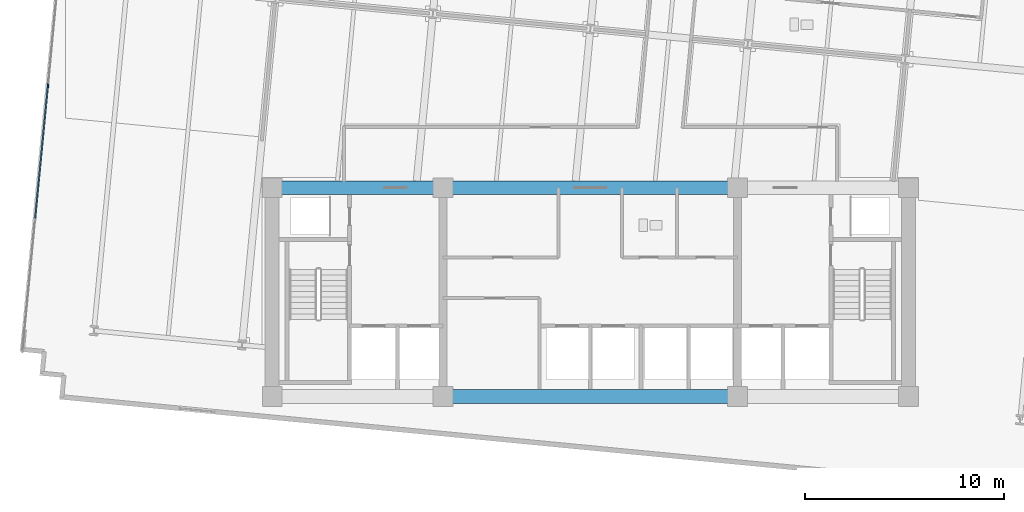
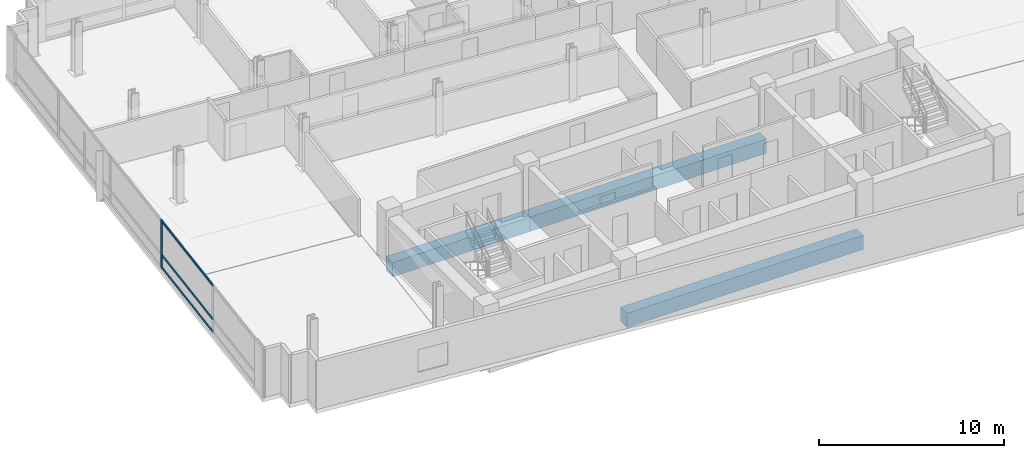
# One storey, part 3 of 17: 4 members, 3 beams, 1 element without a shape of its own.
"""IFC4 building model written with IfcOpenShell, lengths in metres."""

from ifc_helpers import new_model, si_unit, direction, frame, origin, origin_2d, place, context, subcontext, project, spatial, rectangle, extrude, material, material_profile, profile_set, type_object, element, aggregate, save


model = new_model("IFC4")

# Units and contexts
model_context = context("Model", 3, precision=1e-05, world=origin(), true_north=direction((0.0, 1.0)))
body_context = subcontext(model_context, "Body", "Model", "MODEL_VIEW")
ifc_project = project(units=[si_unit("LENGTHUNIT", "METRE"), si_unit("AREAUNIT", "SQUARE_METRE"), si_unit("VOLUMEUNIT", "CUBIC_METRE"), si_unit("PLANEANGLEUNIT", "RADIAN"), si_unit("MASSUNIT", "GRAM", prefix="KILO")], contexts=[model_context])

# Site, building, storey
site_placement = place(None, origin())
site = spatial("IfcSite", under=ifc_project, at=site_placement, CompositionType="ELEMENT")
building_placement = place(site_placement, origin())
building = spatial("IfcBuilding", under=site, at=building_placement, Name="Solmavex Isthmus Hotel", CompositionType="ELEMENT")
storey_placement = place(building_placement, frame((0.0, 0.0, 146.25)))
storey = spatial("IfcBuildingStorey", under=building, at=storey_placement, Name="L39", CompositionType="ELEMENT", Elevation=146.25)

# Beams
ifc_material_1 = material(Name="Concrete C60/75", Category="concrete")
ifc_material_profile_1 = material_profile(ifc_material_1, rectangle(XDim=0.699951171875, YDim=0.949951171875, at=origin_2d()), Name="RC700X950")
ifc_profile_set_1 = profile_set([ifc_material_profile_1], Name="Concrete C60/75")
beam_type = type_object("IfcBeamType", Name="BM-CB-700X950", PredefinedType="BEAM", material=ifc_profile_set_1)
beam_1_placement = place(storey_placement, frame((-7.39990234375, -13.0, -0.735107421875), z_axis=(1.0, 0.0, 0.0), x_axis=(0.0, 1.0, 0.0)))
element("IfcBeam", 1, at=beam_1_placement, inside=storey, type_object=beam_type, Name="Core Coupling Beam L39-CB2", PredefinedType="BEAM", context=body_context, shape_type="SweptSolid", body=[
    extrude(rectangle(XDim=0.699951171875, YDim=0.949951171875, at=origin_2d()), origin(), (0.0, 0.0, 1.0), 14.7998046875),
])
beam_2_placement = place(storey_placement, frame((-16.0, -2.5, -0.735107421875), z_axis=(1.0, 0.0, 0.0), x_axis=(0.0, 1.0, 0.0)))
element("IfcBeam", 2, at=beam_2_placement, inside=storey, type_object=beam_type, Name="Core Coupling Beam L39-CB4", PredefinedType="BEAM", context=body_context, shape_type="SweptSolid", body=[
    extrude(rectangle(XDim=0.699951171875, YDim=0.949951171875, at=origin_2d()), origin(), (0.0, 0.0, 1.0), 8.60009765625),
])
beam_3_placement = place(storey_placement, frame((-7.39990234375, -2.5, -0.735107421875), z_axis=(1.0, 0.0, 0.0), x_axis=(0.0, 1.0, 0.0)))
element("IfcBeam", 3, at=beam_3_placement, inside=storey, type_object=beam_type, Name="Core Coupling Beam L39-CB5", PredefinedType="BEAM", context=body_context, shape_type="SweptSolid", body=[
    extrude(rectangle(XDim=0.699951171875, YDim=0.949951171875, at=origin_2d()), origin(), (0.0, 0.0, 1.0), 14.7998046875),
])

# Curtain wall, members
ifc_material_2 = material(Name="Aluminium alloy 6063-T6", Category="aluminium")
curtain_wall_type = type_object("IfcCurtainWallType", Name="CW-SYS-03", PredefinedType="NOTDEFINED", material=ifc_material_2)
curtain_wall_placement = place(storey_placement, origin())
curtain_wall = element("IfcCurtainWall", 4, at=curtain_wall_placement, inside=storey, type_object=curtain_wall_type, Name="Stick Curtain Wall CWL-L39-W1", PredefinedType="NOTDEFINED")
ifc_material_profile_2 = material_profile(ifc_material_2, rectangle(XDim=0.070068359375, YDim=0.179931640625, at=origin_2d()), Name="CWM-70X180")
ifc_profile_set_2 = profile_set([ifc_material_profile_2], Name="Aluminium alloy 6063-T6")
member_type_1 = type_object("IfcMemberType", Name="CW-SYS-03-MUL", PredefinedType="MULLION", material=ifc_profile_set_2)
member_1_placement = place(storey_placement, frame((-27.2783203125, 2.6318359375, 0.0), z_axis=(0.0, 0.0, 1.0), x_axis=(-0.995396190038, 0.09584583902, 0.0)))
member_1 = element("IfcMember", 5, at=member_1_placement, type_object=member_type_1, Name="CW-03 mullion 3", PredefinedType="MULLION", context=body_context, shape_type="SweptSolid", body=[
    extrude(rectangle(XDim=0.070068359375, YDim=0.179931640625, at=origin_2d()), origin(), (0.0, 0.0, 1.0), 3.18994140625),
])
ifc_material_profile_3 = material_profile(ifc_material_2, rectangle(XDim=0.070068359375, YDim=0.139892578125, at=origin_2d()), Name="CWT-70X140")
ifc_profile_set_3 = profile_set([ifc_material_profile_3], Name="Aluminium alloy 6063-T6")
member_type_2 = type_object("IfcMemberType", Name="CW-SYS-03-TRN", PredefinedType="USERDEFINED", material=ifc_profile_set_3)
member_2_placement = place(storey_placement, frame((-27.9189453125, -4.0224609375, 0.070068359375), z_axis=(0.095820836451, 0.995398597197, 0.0), x_axis=(-0.995398597197, 0.095820836451, 0.0)))
member_2 = element("IfcMember", 6, at=member_2_placement, type_object=member_type_2, Name="CW-03 transom 2.1", ObjectType="TRANSOM", PredefinedType="USERDEFINED", context=body_context, shape_type="SweptSolid", body=[
    extrude(rectangle(XDim=0.070068359375, YDim=0.139892578125, at=origin_2d()), origin(), (0.0, 0.0, 1.0), 6.64990234375),
])
member_3_placement = place(storey_placement, frame((-27.9189453125, -4.0224609375, 0.89990234375), z_axis=(0.095820836451, 0.995398597197, 0.0), x_axis=(-0.995398597197, 0.095820836451, 0.0)))
member_3 = element("IfcMember", 7, at=member_3_placement, type_object=member_type_2, Name="CW-03 transom 2.2", ObjectType="TRANSOM", PredefinedType="USERDEFINED", context=body_context, shape_type="SweptSolid", body=[
    extrude(rectangle(XDim=0.070068359375, YDim=0.139892578125, at=origin_2d()), origin(), (0.0, 0.0, 1.0), 6.64990234375),
])
member_4_placement = place(storey_placement, frame((-27.9189453125, -4.0224609375, 3.1201171875), z_axis=(0.095820836451, 0.995398597197, 0.0), x_axis=(-0.995398597197, 0.095820836451, 0.0)))
member_4 = element("IfcMember", 8, at=member_4_placement, type_object=member_type_2, Name="CW-03 transom 2.3", ObjectType="TRANSOM", PredefinedType="USERDEFINED", context=body_context, shape_type="SweptSolid", body=[
    extrude(rectangle(XDim=0.070068359375, YDim=0.139892578125, at=origin_2d()), origin(), (0.0, 0.0, 1.0), 6.64990234375),
])
aggregate(curtain_wall, [member_1, member_2, member_3, member_4])

save(model, "model.ifc")
